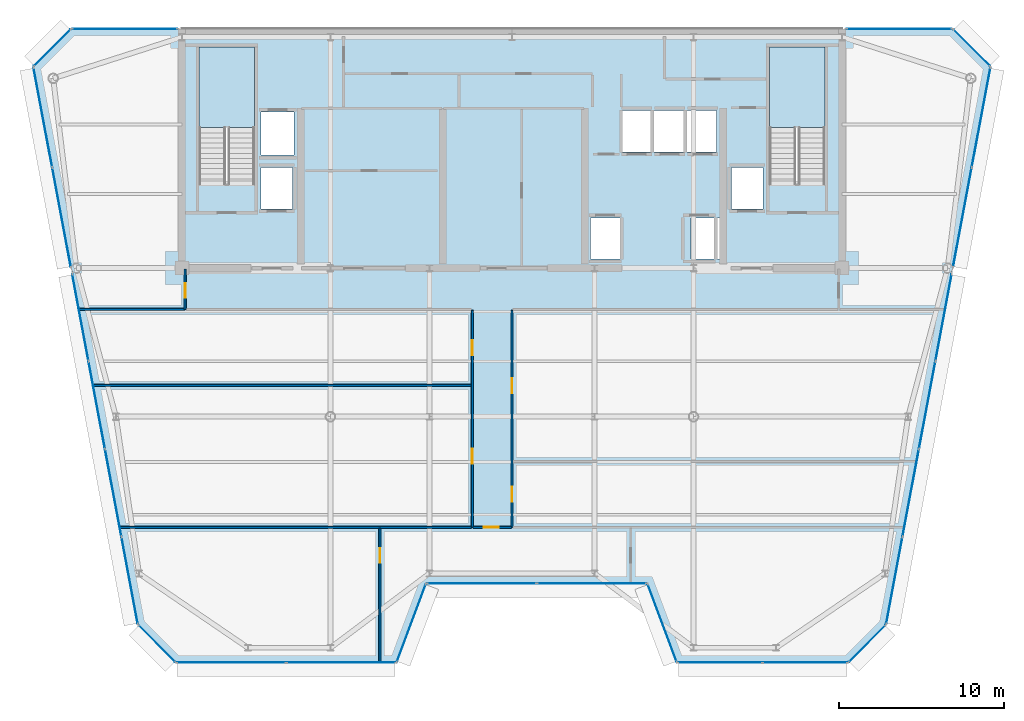
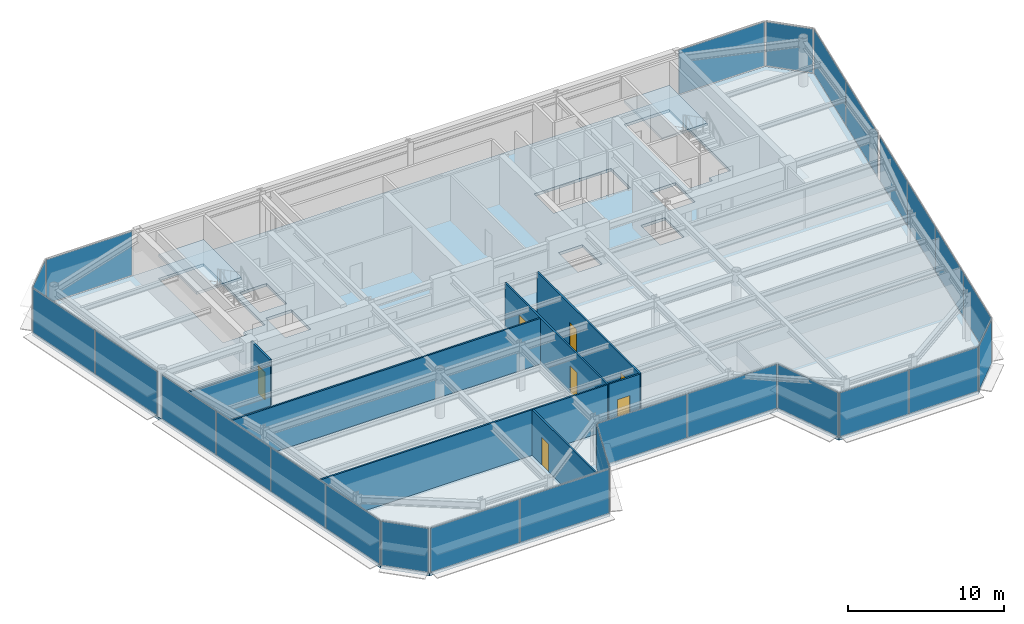
# One storey, part 10 of 19: 26 plates, 8 walls, 7 doors, 3 slabs, 7 openings, 17 elements without a shape of their own.
"""IFC4 building model written with IfcOpenShell, lengths in metres."""

from ifc_helpers import new_model, si_unit, direction, frame, frame_2d, origin, origin_2d, place, context, subcontext, project, spatial, polyline, rectangle, outline, extrude, source, transform, mapped, material, layer, layer_set, type_object, element, fill, aggregate, save


model = new_model("IFC4")

# Units and contexts
model_context = context("Model", 3, precision=1e-05, world=origin(), true_north=direction((0.0, 1.0)))
body_context = subcontext(model_context, "Body", "Model", "MODEL_VIEW")
ifc_project = project(units=[si_unit("LENGTHUNIT", "METRE"), si_unit("AREAUNIT", "SQUARE_METRE"), si_unit("VOLUMEUNIT", "CUBIC_METRE"), si_unit("PLANEANGLEUNIT", "RADIAN"), si_unit("MASSUNIT", "GRAM", prefix="KILO")], contexts=[model_context])

# Site, building, storey
site_placement = place(None, origin())
site = spatial("IfcSite", under=ifc_project, at=site_placement, CompositionType="ELEMENT")
building_placement = place(site_placement, origin())
building = spatial("IfcBuilding", under=site, at=building_placement, Name="Vaeldorn Concourse Tower", CompositionType="ELEMENT")
storey_placement = place(building_placement, frame((0.0, 0.0, 276.39990234375)))
storey = spatial("IfcBuildingStorey", under=building, at=storey_placement, Name="L71", CompositionType="ELEMENT", Elevation=276.39990234375)

# Stair, slab
ifc_material_1 = material(Name="Precast concrete C40/50", Category="concrete")
stair_type = type_object("IfcStairType", Name="STR-DOG-24x158", PredefinedType="HALF_TURN_STAIR", material=ifc_material_1)
stair_1_placement = place(storey_placement, origin())
stair_1 = element("IfcStair", 1, at=stair_1_placement, inside=storey, type_object=stair_type, Name="L71 West Core Exit Stair ST-1", PredefinedType="HALF_TURN_STAIR")
ifc_material_2 = material(Name="Concrete C40/50", Category="concrete")
ifc_layer_1 = layer(ifc_material_2, 0.199951171875)
ifc_layer_set_1 = layer_set([ifc_layer_1], Name="Concrete C40/50")
slab_type_1 = type_object("IfcSlabType", Name="SL-STAIR-LANDING", PredefinedType="LANDING", material=ifc_layer_set_1)
slab_1_placement = place(storey_placement, frame((0.0, 0.0, 1.7001953125)))
slab_1 = element("IfcSlab", 2, at=slab_1_placement, type_object=slab_type_1, Name="ST-1 landing 1", PredefinedType="LANDING", context=body_context, shape_type="SweptSolid", body=[
    extrude(outline(polyline([(18.39990234375, 45.010009765625), (18.39990234375, 49.89990234375), (15.050048828125, 49.89990234375), (15.050048828125, 45.010009765625), (18.39990234375, 45.010009765625)])), origin(), (0.0, 0.0, 1.0), 0.199951171875),
])
aggregate(stair_1, [slab_1])

stair_2_placement = place(storey_placement, origin())
stair_2 = element("IfcStair", 3, at=stair_2_placement, inside=storey, type_object=stair_type, Name="L71 East Core Exit Stair ST-2", PredefinedType="HALF_TURN_STAIR")
slab_2_placement = place(storey_placement, frame((0.0, 0.0, 1.7001953125)))
slab_2 = element("IfcSlab", 4, at=slab_2_placement, type_object=slab_type_1, Name="ST-2 landing 1", PredefinedType="LANDING", context=body_context, shape_type="SweptSolid", body=[
    extrude(outline(polyline([(52.949951171875, 45.010009765625), (52.949951171875, 49.89990234375), (49.60009765625, 49.89990234375), (49.60009765625, 45.010009765625), (52.949951171875, 45.010009765625)])), origin(), (0.0, 0.0, 1.0), 0.199951171875),
])
aggregate(stair_2, [slab_2])

# Slab
ifc_layer_2 = layer(ifc_material_2, 0.219970703125)
ifc_layer_set_2 = layer_set([ifc_layer_2], Name="Concrete C40/50")
slab_type_2 = type_object("IfcSlabType", Name="SL-TYP-220", PredefinedType="FLOOR", material=ifc_layer_set_2)
slab_3_placement = place(storey_placement, frame((0.0, 0.0, -0.219970703125)))
element("IfcSlab", 5, at=slab_3_placement, inside=storey, type_object=slab_type_2, Name="Structural Floor Slab L71", PredefinedType="FLOOR", context=body_context, shape_type="SweptSolid", body=[
    extrude(outline(polyline([(13.635986328125, 12.60009765625), (27.0, 12.60009765625), (28.800048828125, 17.39990234375), (42.199951171875, 17.39990234375), (44.0, 12.60009765625), (54.364013671875, 12.60009765625), (56.6640625, 14.89990234375), (63.0, 48.699951171875), (60.699951171875, 51.0), (7.300048828125, 51.0), (5.0, 48.699951171875), (11.3359375, 14.89990234375), (13.635986328125, 12.60009765625)]), holes=[polyline([(18.39990234375, 42.0), (18.39990234375, 49.89990234375), (15.050048828125, 49.89990234375), (15.050048828125, 41.60009765625), (16.800048828125, 41.60009765625), (16.800048828125, 42.0), (18.39990234375, 42.0)]), polyline([(52.949951171875, 42.0), (52.949951171875, 49.89990234375), (49.60009765625, 49.89990234375), (49.60009765625, 41.60009765625), (51.35009765625, 41.60009765625), (51.35009765625, 42.0), (52.949951171875, 42.0)]), polyline([(38.75, 37.050048828125), (40.550048828125, 37.050048828125), (40.550048828125, 39.550048828125), (38.75, 39.550048828125), (38.75, 37.050048828125)]), polyline([(44.85009765625, 37.050048828125), (46.64990234375, 37.050048828125), (46.64990234375, 39.550048828125), (44.85009765625, 39.550048828125), (44.85009765625, 37.050048828125)]), polyline([(40.699951171875, 43.550048828125), (46.39990234375, 43.550048828125), (46.39990234375, 46.050048828125), (40.699951171875, 46.050048828125), (40.699951171875, 43.550048828125)]), polyline([(18.800048828125, 43.35009765625), (20.800048828125, 43.35009765625), (20.800048828125, 45.949951171875), (18.800048828125, 45.949951171875), (18.800048828125, 43.35009765625)]), polyline([(18.800048828125, 40.10009765625), (20.699951171875, 40.10009765625), (20.699951171875, 42.60009765625), (18.800048828125, 42.60009765625), (18.800048828125, 40.10009765625)]), polyline([(47.300048828125, 40.10009765625), (49.199951171875, 40.10009765625), (49.199951171875, 42.60009765625), (47.300048828125, 42.60009765625), (47.300048828125, 40.10009765625)])]), origin(), (0.0, 0.0, 1.0), 0.219970703125),
])

# Curtain wall, plate
ifc_material_3 = material(Name="Anodised Bronze Aluminium", Category="aluminium")
ifc_layer_3 = layer(ifc_material_3, 0.179931640625)
ifc_layer_set_3 = layer_set([ifc_layer_3], Name="Anodised Bronze Aluminium")
curtain_wall_type = type_object("IfcCurtainWallType", Name="CW-SYS-05", PredefinedType="NOTDEFINED", material=ifc_layer_set_3)
curtain_wall_1_placement = place(storey_placement, origin())
curtain_wall_1 = element("IfcCurtainWall", 6, at=curtain_wall_1_placement, inside=storey, type_object=curtain_wall_type, Name="Unitised Curtain Wall CW-L71-E02-1", PredefinedType="NOTDEFINED")
ifc_material_4 = material(Name="Bronze Tinted Low-E Insulated Glass", Category="glass")
ifc_layer_4 = layer(ifc_material_4, 0.031982421875)
ifc_layer_set_4 = layer_set([ifc_layer_4], Name="Bronze Tinted Low-E Insulated Glass")
plate_type = type_object("IfcPlateType", Name="CWP-VISION-32", PredefinedType="CURTAIN_PANEL", material=ifc_layer_set_4)
shared_shape_1 = source(origin(), body_context, "Body", "SweptSolid", [
    extrude(rectangle(XDim=4.996337890625, YDim=0.031982421875, at=origin_2d()), origin(), (0.0, 0.0, 1.0), 3.449951171875),
])
plate_1_placement = place(storey_placement, frame((27.89990234375, 15.0, 0.06494140625), z_axis=(0.0, 0.0, 1.0), x_axis=(0.351123441595, 0.936329177566, 0.0)))
plate_1 = element("IfcPlate", 7, at=plate_1_placement, type_object=plate_type, Name="CW-05 panel 1.1", PredefinedType="CURTAIN_PANEL", context=body_context, shape_type="MappedRepresentation", body=[
    mapped(shared_shape_1, transform((0.0, 0.0, 0.0), scale=1.0)),
])
aggregate(curtain_wall_1, [plate_1])

curtain_wall_2_placement = place(storey_placement, origin())
curtain_wall_2 = element("IfcCurtainWall", 8, at=curtain_wall_2_placement, inside=storey, type_object=curtain_wall_type, Name="Unitised Curtain Wall CW-L71-E04-1", PredefinedType="NOTDEFINED")
plate_2_placement = place(storey_placement, frame((43.10009765625, 15.0, 0.06494140625), z_axis=(0.0, 0.0, 1.0), x_axis=(0.351123441595, -0.936329177566, 0.0)))
plate_2 = element("IfcPlate", 9, at=plate_2_placement, type_object=plate_type, Name="CW-05 panel 1.1", PredefinedType="CURTAIN_PANEL", context=body_context, shape_type="MappedRepresentation", body=[
    mapped(shared_shape_1, transform((0.0, 0.0, 0.0), scale=1.0)),
])
aggregate(curtain_wall_2, [plate_2])

# Curtain wall, plates
curtain_wall_3_placement = place(storey_placement, origin())
curtain_wall_3 = element("IfcCurtainWall", 10, at=curtain_wall_3_placement, inside=storey, type_object=curtain_wall_type, Name="Unitised Curtain Wall CW-L71-E03-1", PredefinedType="NOTDEFINED")
shared_shape_2 = source(origin(), body_context, "Body", "SweptSolid", [
    extrude(rectangle(XDim=6.6025390625, YDim=0.031982421875, at=origin_2d()), origin(), (0.0, 0.0, 1.0), 3.449951171875),
])
plate_3_placement = place(storey_placement, frame((32.166259765625, 17.39990234375, 0.06494140625), z_axis=(0.0, 0.0, 1.0), x_axis=(1.0, 0.0, 0.0)))
plate_3 = element("IfcPlate", 11, at=plate_3_placement, type_object=plate_type, Name="CW-05 panel 1.1", PredefinedType="CURTAIN_PANEL", context=body_context, shape_type="MappedRepresentation", body=[
    mapped(shared_shape_2, transform((0.0, 0.0, 0.0), scale=1.0)),
])
plate_4_placement = place(storey_placement, frame((38.833740234375, 17.39990234375, 0.06494140625), z_axis=(0.0, 0.0, 1.0), x_axis=(1.0, 0.0, 0.0)))
plate_4 = element("IfcPlate", 12, at=plate_4_placement, type_object=plate_type, Name="CW-05 panel 2.1", PredefinedType="CURTAIN_PANEL", context=body_context, shape_type="MappedRepresentation", body=[
    mapped(shared_shape_2, transform((0.0, 0.0, 0.0), scale=1.0)),
])
aggregate(curtain_wall_3, [plate_3, plate_4])

# Curtain wall, plate
curtain_wall_4_placement = place(storey_placement, origin())
curtain_wall_4 = element("IfcCurtainWall", 13, at=curtain_wall_4_placement, inside=storey, type_object=curtain_wall_type, Name="Unitised Curtain Wall CW-L71-E06-1", PredefinedType="NOTDEFINED")
shared_shape_3 = source(origin(), body_context, "Body", "SweptSolid", [
    extrude(rectangle(XDim=3.122802734375, YDim=0.031982421875, at=origin_2d()), origin(), (0.0, 0.0, 1.0), 3.449951171875),
])
plate_5_placement = place(storey_placement, frame((55.513916015625, 13.75, 0.06494140625), z_axis=(0.0, 0.0, 1.0), x_axis=(0.707106781187, 0.707106781187, 0.0)))
plate_5 = element("IfcPlate", 14, at=plate_5_placement, type_object=plate_type, Name="CW-05 panel 1.1", PredefinedType="CURTAIN_PANEL", context=body_context, shape_type="MappedRepresentation", body=[
    mapped(shared_shape_3, transform((0.0, 0.0, 0.0), scale=1.0)),
])
aggregate(curtain_wall_4, [plate_5])

curtain_wall_5_placement = place(storey_placement, origin())
curtain_wall_5 = element("IfcCurtainWall", 15, at=curtain_wall_5_placement, inside=storey, type_object=curtain_wall_type, Name="Unitised Curtain Wall CW-L71-E08-1", PredefinedType="NOTDEFINED")
plate_6_placement = place(storey_placement, frame((61.85009765625, 49.85009765625, 0.06494140625), z_axis=(0.0, 0.0, 1.0), x_axis=(-0.707106781187, 0.707106781187, 0.0)))
plate_6 = element("IfcPlate", 16, at=plate_6_placement, type_object=plate_type, Name="CW-05 panel 1.1", PredefinedType="CURTAIN_PANEL", context=body_context, shape_type="MappedRepresentation", body=[
    mapped(shared_shape_3, transform((0.0, 0.0, 0.0), scale=1.0)),
])
aggregate(curtain_wall_5, [plate_6])

curtain_wall_6_placement = place(storey_placement, origin())
curtain_wall_6 = element("IfcCurtainWall", 17, at=curtain_wall_6_placement, inside=storey, type_object=curtain_wall_type, Name="Unitised Curtain Wall CW-L71-E10-1", PredefinedType="NOTDEFINED")
plate_7_placement = place(storey_placement, frame((6.14990234375, 49.85009765625, 0.06494140625), z_axis=(0.0, 0.0, 1.0), x_axis=(-0.707106781187, -0.707106781187, 0.0)))
plate_7 = element("IfcPlate", 18, at=plate_7_placement, type_object=plate_type, Name="CW-05 panel 1.1", PredefinedType="CURTAIN_PANEL", context=body_context, shape_type="MappedRepresentation", body=[
    mapped(shared_shape_3, transform((0.0, 0.0, 0.0), scale=1.0)),
])
aggregate(curtain_wall_6, [plate_7])

curtain_wall_7_placement = place(storey_placement, origin())
curtain_wall_7 = element("IfcCurtainWall", 19, at=curtain_wall_7_placement, inside=storey, type_object=curtain_wall_type, Name="Unitised Curtain Wall CW-L71-E12-1", PredefinedType="NOTDEFINED")
plate_8_placement = place(storey_placement, frame((12.486083984375, 13.75, 0.06494140625), z_axis=(0.0, 0.0, 1.0), x_axis=(0.707106781187, -0.707106781187, 0.0)))
plate_8 = element("IfcPlate", 20, at=plate_8_placement, type_object=plate_type, Name="CW-05 panel 1.1", PredefinedType="CURTAIN_PANEL", context=body_context, shape_type="MappedRepresentation", body=[
    mapped(shared_shape_3, transform((0.0, 0.0, 0.0), scale=1.0)),
])
aggregate(curtain_wall_7, [plate_8])

curtain_wall_8_placement = place(storey_placement, origin())
curtain_wall_8 = element("IfcCurtainWall", 21, at=curtain_wall_8_placement, inside=storey, type_object=curtain_wall_type, Name="Unitised Curtain Wall CW-L71-E09-1", PredefinedType="NOTDEFINED")
shared_shape_4 = source(origin(), body_context, "Body", "SweptSolid", [
    extrude(rectangle(XDim=6.35009765625, YDim=0.031982421875, at=origin_2d()), origin(), (0.0, 0.0, 1.0), 3.449951171875),
])
plate_9_placement = place(storey_placement, frame((57.4599609375, 51.0, 0.06494140625), z_axis=(0.0, 0.0, 1.0), x_axis=(-1.0, 0.0, 0.0)))
plate_9 = element("IfcPlate", 22, at=plate_9_placement, type_object=plate_type, Name="CW-05 panel 1.1", PredefinedType="CURTAIN_PANEL", context=body_context, shape_type="MappedRepresentation", body=[
    mapped(shared_shape_4, transform((0.0, 0.0, 0.0), scale=1.0)),
])
aggregate(curtain_wall_8, [plate_9])

curtain_wall_9_placement = place(storey_placement, origin())
curtain_wall_9 = element("IfcCurtainWall", 23, at=curtain_wall_9_placement, inside=storey, type_object=curtain_wall_type, Name="Unitised Curtain Wall CW-L71-E09-2", PredefinedType="NOTDEFINED")
plate_10_placement = place(storey_placement, frame((10.5400390625, 51.0, 0.06494140625), z_axis=(0.0, 0.0, 1.0), x_axis=(-1.0, 0.0, 0.0)))
plate_10 = element("IfcPlate", 24, at=plate_10_placement, type_object=plate_type, Name="CW-05 panel 1.1", PredefinedType="CURTAIN_PANEL", context=body_context, shape_type="MappedRepresentation", body=[
    mapped(shared_shape_4, transform((0.0, 0.0, 0.0), scale=1.0)),
])
aggregate(curtain_wall_9, [plate_10])

# Curtain wall, plates
curtain_wall_10_placement = place(storey_placement, origin())
curtain_wall_10 = element("IfcCurtainWall", 25, at=curtain_wall_10_placement, inside=storey, type_object=curtain_wall_type, Name="Unitised Curtain Wall CW-L71-E07-1", PredefinedType="NOTDEFINED")
shared_shape_5 = source(origin(), body_context, "Body", "SweptSolid", [
    extrude(rectangle(XDim=5.31640625, YDim=0.031982421875, at=origin_2d()), origin(), (0.0, 0.0, 1.0), 3.449951171875),
])
plate_11_placement = place(storey_placement, frame((57.165771484375, 17.57666015625, 0.06494140625), z_axis=(0.0, 0.0, 1.0), x_axis=(0.184246714088, 0.982880027444, 0.0)))
plate_11 = element("IfcPlate", 26, at=plate_11_placement, type_object=plate_type, Name="CW-05 panel 1.1", PredefinedType="CURTAIN_PANEL", context=body_context, shape_type="MappedRepresentation", body=[
    mapped(shared_shape_5, transform((0.0, 0.0, 0.0), scale=1.0)),
])
plate_12_placement = place(storey_placement, frame((60.15234375, 33.50830078125, 0.06494140625), z_axis=(0.0, 0.0, 1.0), x_axis=(0.184246714088, 0.982880027444, 0.0)))
plate_12 = element("IfcPlate", 27, at=plate_12_placement, type_object=plate_type, Name="CW-05 panel 4.1", PredefinedType="CURTAIN_PANEL", context=body_context, shape_type="MappedRepresentation", body=[
    mapped(shared_shape_5, transform((0.0, 0.0, 0.0), scale=1.0)),
])

curtain_wall_11_placement = place(storey_placement, origin())
curtain_wall_11 = element("IfcCurtainWall", 28, at=curtain_wall_11_placement, inside=storey, type_object=curtain_wall_type, Name="Unitised Curtain Wall CW-L71-E11-2", PredefinedType="NOTDEFINED")
plate_13_placement = place(storey_placement, frame((7.84765625, 33.50830078125, 0.06494140625), z_axis=(0.0, 0.0, 1.0), x_axis=(0.184246714088, -0.982880027444, 0.0)))
plate_13 = element("IfcPlate", 29, at=plate_13_placement, type_object=plate_type, Name="CW-05 panel 1.1", PredefinedType="CURTAIN_PANEL", context=body_context, shape_type="MappedRepresentation", body=[
    mapped(shared_shape_5, transform((0.0, 0.0, 0.0), scale=1.0)),
])
plate_14_placement = place(storey_placement, frame((10.834228515625, 17.57666015625, 0.06494140625), z_axis=(0.0, 0.0, 1.0), x_axis=(0.184246714088, -0.982880027444, 0.0)))
plate_14 = element("IfcPlate", 30, at=plate_14_placement, type_object=plate_type, Name="CW-05 panel 4.1", PredefinedType="CURTAIN_PANEL", context=body_context, shape_type="MappedRepresentation", body=[
    mapped(shared_shape_5, transform((0.0, 0.0, 0.0), scale=1.0)),
])

# Plate
shared_shape_6 = source(origin(), body_context, "Body", "SweptSolid", [
    extrude(rectangle(XDim=5.348876953125, YDim=0.031982421875, at=origin_2d()), origin(), (0.0, 0.0, 1.0), 3.449951171875),
])
plate_15_placement = place(storey_placement, frame((58.16015625, 22.8818359375, 0.06494140625), z_axis=(0.0, 0.0, 1.0), x_axis=(0.184246714088, 0.982880027444, 0.0)))
plate_15 = element("IfcPlate", 31, at=plate_15_placement, type_object=plate_type, Name="CW-05 panel 2.1", PredefinedType="CURTAIN_PANEL", context=body_context, shape_type="MappedRepresentation", body=[
    mapped(shared_shape_6, transform((0.0, 0.0, 0.0), scale=1.0)),
])

plate_16_placement = place(storey_placement, frame((59.15771484375, 28.203125, 0.06494140625), z_axis=(0.0, 0.0, 1.0), x_axis=(0.184246714088, 0.982880027444, 0.0)))
plate_16 = element("IfcPlate", 32, at=plate_16_placement, type_object=plate_type, Name="CW-05 panel 3.1", PredefinedType="CURTAIN_PANEL", context=body_context, shape_type="MappedRepresentation", body=[
    mapped(shared_shape_6, transform((0.0, 0.0, 0.0), scale=1.0)),
])

aggregate(curtain_wall_10, [plate_11, plate_15, plate_16, plate_12])

plate_17_placement = place(storey_placement, frame((8.84228515625, 28.203125, 0.06494140625), z_axis=(0.0, 0.0, 1.0), x_axis=(0.184246714088, -0.982880027444, 0.0)))
plate_17 = element("IfcPlate", 33, at=plate_17_placement, type_object=plate_type, Name="CW-05 panel 2.1", PredefinedType="CURTAIN_PANEL", context=body_context, shape_type="MappedRepresentation", body=[
    mapped(shared_shape_6, transform((0.0, 0.0, 0.0), scale=1.0)),
])

plate_18_placement = place(storey_placement, frame((9.83984375, 22.8818359375, 0.06494140625), z_axis=(0.0, 0.0, 1.0), x_axis=(0.184246714088, -0.982880027444, 0.0)))
plate_18 = element("IfcPlate", 34, at=plate_18_placement, type_object=plate_type, Name="CW-05 panel 3.1", PredefinedType="CURTAIN_PANEL", context=body_context, shape_type="MappedRepresentation", body=[
    mapped(shared_shape_6, transform((0.0, 0.0, 0.0), scale=1.0)),
])

aggregate(curtain_wall_11, [plate_13, plate_17, plate_18, plate_14])

# Curtain wall, plates
curtain_wall_12_placement = place(storey_placement, origin())
curtain_wall_12 = element("IfcCurtainWall", 35, at=curtain_wall_12_placement, inside=storey, type_object=curtain_wall_type, Name="Unitised Curtain Wall CW-L71-E07-2", PredefinedType="NOTDEFINED")
shared_shape_7 = source(origin(), body_context, "Body", "SweptSolid", [
    extrude(rectangle(XDim=6.103515625, YDim=0.031982421875, at=origin_2d()), origin(), (0.0, 0.0, 1.0), 3.449951171875),
])
plate_19_placement = place(storey_placement, frame((61.289306640625, 39.57373046875, 0.06494140625), z_axis=(0.0, 0.0, 1.0), x_axis=(0.184245693053, 0.982880218842, 0.0)))
plate_19 = element("IfcPlate", 36, at=plate_19_placement, type_object=plate_type, Name="CW-05 panel 1.1", PredefinedType="CURTAIN_PANEL", context=body_context, shape_type="MappedRepresentation", body=[
    mapped(shared_shape_7, transform((0.0, 0.0, 0.0), scale=1.0)),
])
plate_20_placement = place(storey_placement, frame((62.42578125, 45.63671875, 0.06494140625), z_axis=(0.0, 0.0, 1.0), x_axis=(0.184245693053, 0.982880218842, 0.0)))
plate_20 = element("IfcPlate", 37, at=plate_20_placement, type_object=plate_type, Name="CW-05 panel 2.1", PredefinedType="CURTAIN_PANEL", context=body_context, shape_type="MappedRepresentation", body=[
    mapped(shared_shape_7, transform((0.0, 0.0, 0.0), scale=1.0)),
])
aggregate(curtain_wall_12, [plate_19, plate_20])

curtain_wall_13_placement = place(storey_placement, origin())
curtain_wall_13 = element("IfcCurtainWall", 38, at=curtain_wall_13_placement, inside=storey, type_object=curtain_wall_type, Name="Unitised Curtain Wall CW-L71-E11-1", PredefinedType="NOTDEFINED")
plate_21_placement = place(storey_placement, frame((5.57421875, 45.63671875, 0.06494140625), z_axis=(0.0, 0.0, 1.0), x_axis=(0.184245693053, -0.982880218842, 0.0)))
plate_21 = element("IfcPlate", 39, at=plate_21_placement, type_object=plate_type, Name="CW-05 panel 1.1", PredefinedType="CURTAIN_PANEL", context=body_context, shape_type="MappedRepresentation", body=[
    mapped(shared_shape_7, transform((0.0, 0.0, 0.0), scale=1.0)),
])
plate_22_placement = place(storey_placement, frame((6.710693359375, 39.57373046875, 0.06494140625), z_axis=(0.0, 0.0, 1.0), x_axis=(0.184245693053, -0.982880218842, 0.0)))
plate_22 = element("IfcPlate", 40, at=plate_22_placement, type_object=plate_type, Name="CW-05 panel 2.1", PredefinedType="CURTAIN_PANEL", context=body_context, shape_type="MappedRepresentation", body=[
    mapped(shared_shape_7, transform((0.0, 0.0, 0.0), scale=1.0)),
])
aggregate(curtain_wall_13, [plate_21, plate_22])

curtain_wall_14_placement = place(storey_placement, origin())
curtain_wall_14 = element("IfcCurtainWall", 41, at=curtain_wall_14_placement, inside=storey, type_object=curtain_wall_type, Name="Unitised Curtain Wall CW-L71-E01-1", PredefinedType="NOTDEFINED")
shared_shape_8 = source(origin(), body_context, "Body", "SweptSolid", [
    extrude(rectangle(XDim=6.58447265625, YDim=0.031982421875, at=origin_2d()), origin(), (0.0, 0.0, 1.0), 3.449951171875),
])
plate_23_placement = place(storey_placement, frame((16.9931640625, 12.60009765625, 0.06494140625), z_axis=(0.0, 0.0, 1.0), x_axis=(1.0, 0.0, 0.0)))
plate_23 = element("IfcPlate", 42, at=plate_23_placement, type_object=plate_type, Name="CW-05 panel 1.1", PredefinedType="CURTAIN_PANEL", context=body_context, shape_type="MappedRepresentation", body=[
    mapped(shared_shape_8, transform((0.0, 0.0, 0.0), scale=1.0)),
])
plate_24_placement = place(storey_placement, frame((23.642822265625, 12.60009765625, 0.06494140625), z_axis=(0.0, 0.0, 1.0), x_axis=(1.0, 0.0, 0.0)))
plate_24 = element("IfcPlate", 43, at=plate_24_placement, type_object=plate_type, Name="CW-05 panel 2.1", PredefinedType="CURTAIN_PANEL", context=body_context, shape_type="MappedRepresentation", body=[
    mapped(shared_shape_8, transform((0.0, 0.0, 0.0), scale=1.0)),
])
aggregate(curtain_wall_14, [plate_23, plate_24])

curtain_wall_15_placement = place(storey_placement, origin())
curtain_wall_15 = element("IfcCurtainWall", 44, at=curtain_wall_15_placement, inside=storey, type_object=curtain_wall_type, Name="Unitised Curtain Wall CW-L71-E05-1", PredefinedType="NOTDEFINED")
shared_shape_9 = source(origin(), body_context, "Body", "SweptSolid", [
    extrude(rectangle(XDim=5.08447265625, YDim=0.031982421875, at=origin_2d()), origin(), (0.0, 0.0, 1.0), 3.449951171875),
])
plate_25_placement = place(storey_placement, frame((46.607177734375, 12.60009765625, 0.06494140625), z_axis=(0.0, 0.0, 1.0), x_axis=(1.0, 0.0, 0.0)))
plate_25 = element("IfcPlate", 45, at=plate_25_placement, type_object=plate_type, Name="CW-05 panel 1.1", PredefinedType="CURTAIN_PANEL", context=body_context, shape_type="MappedRepresentation", body=[
    mapped(shared_shape_9, transform((0.0, 0.0, 0.0), scale=1.0)),
])
plate_26_placement = place(storey_placement, frame((51.7568359375, 12.60009765625, 0.06494140625), z_axis=(0.0, 0.0, 1.0), x_axis=(1.0, 0.0, 0.0)))
plate_26 = element("IfcPlate", 46, at=plate_26_placement, type_object=plate_type, Name="CW-05 panel 2.1", PredefinedType="CURTAIN_PANEL", context=body_context, shape_type="MappedRepresentation", body=[
    mapped(shared_shape_9, transform((0.0, 0.0, 0.0), scale=1.0)),
])
aggregate(curtain_wall_15, [plate_25, plate_26])

# Wall, opening, door
ifc_material_5 = material(Name="Gypsum Board Partition", Category="gypsum")
ifc_layer_5 = layer(ifc_material_5, 0.1201171875)
ifc_layer_set_5 = layer_set([ifc_layer_5], Name="Gypsum Board Partition")
wall_type = type_object("IfcWallType", Name="WL-PART-120", PredefinedType="PARTITIONING", material=ifc_layer_set_5)
wall_1_placement = place(storey_placement, frame((14.199951171875, 34.0, 0.0), z_axis=(0.0, 0.0, 1.0), x_axis=(0.0, 1.0, 0.0)))
wall_1 = element("IfcWall", 47, at=wall_1_placement, inside=storey, type_object=wall_type, Name="Interior Wall PW-L71-C3W", PredefinedType="PARTITIONING", context=body_context, shape_type="SweptSolid", body=[
    extrude(rectangle(XDim=2.43994140625, YDim=0.1201171875, at=frame_2d((1.219970703125, 0.0))), origin(), (0.0, 0.0, 1.0), 3.580078125),
])
opening_1_placement = place(wall_1_placement, frame((0.699951171875, 0.0, 0.0)))
opening_1 = element("IfcOpeningElement", 48, at=opening_1_placement, cuts=wall_1, Name="Opening D-03", PredefinedType="OPENING", context=body_context, shape_type="SweptSolid", body=[
    extrude(rectangle(XDim=0.89990234375, YDim=2.14990234375, at=frame_2d((0.449951171875, 1.074951171875))), frame((0.0, 0.070068359375, 0.0), z_axis=(0.0, -1.0, 0.0), x_axis=(1.0, 0.0, 0.0)), (0.0, 0.0, 1.0), 0.14013671875),
])
ifc_material_6 = material(Name="Acoustic Bronze-Framed Glass Door", Category="glass")
door_type = type_object("IfcDoorType", Name="DR-INT-900", OperationType="NOTDEFINED", PredefinedType="DOOR", material=ifc_material_6)
shared_shape_10 = source(origin(), body_context, "Body", "SweptSolid", [
    extrude(rectangle(XDim=0.89990234375, YDim=2.14990234375, at=frame_2d((0.449951171875, 1.074951171875))), frame((0.0, 0.02490234375, 0.0), z_axis=(0.0, -1.0, 0.0), x_axis=(1.0, 0.0, 0.0)), (0.0, 0.0, 1.0), 0.050048828125),
])
door_1_placement = place(opening_1_placement, origin())
door_1 = element("IfcDoor", 49, at=door_1_placement, inside=storey, type_object=door_type, Name="Interior Door DR-L71-Z3NW", OperationType="SINGLE_SWING_LEFT", OverallHeight=2.14990234375, OverallWidth=0.89990234375, PredefinedType="DOOR", context=body_context, shape_type="MappedRepresentation", body=[
    mapped(shared_shape_10, transform((0.0, 0.0, 0.0), scale=1.0)),
])
fill(opening_1, door_1)

# Wall, openings, doors
wall_2_placement = place(storey_placement, frame((31.60009765625, 20.800048828125, 0.0), z_axis=(0.0, 0.0, 1.0), x_axis=(0.0, 1.0, 0.0)))
wall_2 = element("IfcWall", 50, at=wall_2_placement, inside=storey, type_object=wall_type, Name="Interior Wall PW-L71-CSPW", PredefinedType="PARTITIONING", context=body_context, shape_type="SweptSolid", body=[
    extrude(rectangle(XDim=13.139892578125, YDim=0.1201171875, at=frame_2d((6.56982421875, 0.0))), origin(), (0.0, 0.0, 1.0), 3.580078125),
])
opening_2_placement = place(wall_2_placement, frame((3.85009765625, 0.0, 0.0)))
opening_2 = element("IfcOpeningElement", 51, at=opening_2_placement, cuts=wall_2, Name="Opening D-03", PredefinedType="OPENING", context=body_context, shape_type="SweptSolid", body=[
    extrude(rectangle(XDim=0.89990234375, YDim=2.14990234375, at=frame_2d((0.449951171875, 1.074951171875))), frame((0.0, 0.070068359375, 0.0), z_axis=(0.0, -1.0, 0.0), x_axis=(1.0, 0.0, 0.0)), (0.0, 0.0, 1.0), 0.14013671875),
])
opening_3_placement = place(wall_2_placement, frame((10.419921875, 0.0, 0.0)))
opening_3 = element("IfcOpeningElement", 52, at=opening_3_placement, cuts=wall_2, Name="Opening D-03", PredefinedType="OPENING", context=body_context, shape_type="SweptSolid", body=[
    extrude(rectangle(XDim=0.89990234375, YDim=2.14990234375, at=frame_2d((0.449951171875, 1.074951171875))), frame((0.0, 0.070068359375, 0.0), z_axis=(0.0, -1.0, 0.0), x_axis=(1.0, 0.0, 0.0)), (0.0, 0.0, 1.0), 0.14013671875),
])
door_2_placement = place(opening_2_placement, origin())
door_2 = element("IfcDoor", 53, at=door_2_placement, inside=storey, type_object=door_type, Name="Interior Door DR-L71-Z3W1", OperationType="SINGLE_SWING_LEFT", OverallHeight=2.14990234375, OverallWidth=0.89990234375, PredefinedType="DOOR", context=body_context, shape_type="MappedRepresentation", body=[
    mapped(shared_shape_10, transform((0.0, 0.0, 0.0), scale=1.0)),
])
fill(opening_2, door_2)
door_3_placement = place(opening_3_placement, origin())
door_3 = element("IfcDoor", 54, at=door_3_placement, inside=storey, type_object=door_type, Name="Interior Door DR-L71-Z3W2", OperationType="SINGLE_SWING_RIGHT", OverallHeight=2.14990234375, OverallWidth=0.89990234375, PredefinedType="DOOR", context=body_context, shape_type="MappedRepresentation", body=[
    mapped(shared_shape_10, transform((0.0, 0.0, 0.0), scale=1.0)),
])
fill(opening_3, door_3)

wall_3_placement = place(storey_placement, frame((34.0, 20.800048828125, 0.0), z_axis=(0.0, 0.0, 1.0), x_axis=(0.0, 1.0, 0.0)))
wall_3 = element("IfcWall", 55, at=wall_3_placement, inside=storey, type_object=wall_type, Name="Interior Wall PW-L71-CSPE", PredefinedType="PARTITIONING", context=body_context, shape_type="SweptSolid", body=[
    extrude(rectangle(XDim=13.139892578125, YDim=0.1201171875, at=frame_2d((6.56982421875, 0.0))), origin(), (0.0, 0.0, 1.0), 3.580078125),
])
opening_4_placement = place(wall_3_placement, frame((1.550048828125, 0.0, 0.0)))
opening_4 = element("IfcOpeningElement", 56, at=opening_4_placement, cuts=wall_3, Name="Opening D-03", PredefinedType="OPENING", context=body_context, shape_type="SweptSolid", body=[
    extrude(rectangle(XDim=0.89990234375, YDim=2.14990234375, at=frame_2d((0.449951171875, 1.074951171875))), frame((0.0, 0.070068359375, 0.0), z_axis=(0.0, -1.0, 0.0), x_axis=(1.0, 0.0, 0.0)), (0.0, 0.0, 1.0), 0.14013671875),
])
opening_5_placement = place(wall_3_placement, frame((8.1201171875, 0.0, 0.0)))
opening_5 = element("IfcOpeningElement", 57, at=opening_5_placement, cuts=wall_3, Name="Opening D-03", PredefinedType="OPENING", context=body_context, shape_type="SweptSolid", body=[
    extrude(rectangle(XDim=0.89990234375, YDim=2.14990234375, at=frame_2d((0.449951171875, 1.074951171875))), frame((0.0, 0.070068359375, 0.0), z_axis=(0.0, -1.0, 0.0), x_axis=(1.0, 0.0, 0.0)), (0.0, 0.0, 1.0), 0.14013671875),
])
door_4_placement = place(opening_4_placement, origin())
door_4 = element("IfcDoor", 58, at=door_4_placement, inside=storey, type_object=door_type, Name="Interior Door DR-L71-Z3E1", OperationType="SINGLE_SWING_RIGHT", OverallHeight=2.14990234375, OverallWidth=0.89990234375, PredefinedType="DOOR", context=body_context, shape_type="MappedRepresentation", body=[
    mapped(shared_shape_10, transform((0.0, 0.0, 0.0), scale=1.0)),
])
fill(opening_4, door_4)
door_5_placement = place(opening_5_placement, origin())
door_5 = element("IfcDoor", 59, at=door_5_placement, inside=storey, type_object=door_type, Name="Interior Door DR-L71-Z3E2", OperationType="SINGLE_SWING_LEFT", OverallHeight=2.14990234375, OverallWidth=0.89990234375, PredefinedType="DOOR", context=body_context, shape_type="MappedRepresentation", body=[
    mapped(shared_shape_10, transform((0.0, 0.0, 0.0), scale=1.0)),
])
fill(opening_5, door_5)

# Wall, opening, door
wall_4_placement = place(storey_placement, frame((31.639892578125, 20.800048828125, 0.0), z_axis=(0.0, 0.0, 1.0), x_axis=(1.0, 0.0, 0.0)))
wall_4 = element("IfcWall", 60, at=wall_4_placement, inside=storey, type_object=wall_type, Name="Interior Wall PW-L71-CSPS", PredefinedType="PARTITIONING", context=body_context, shape_type="SweptSolid", body=[
    extrude(rectangle(XDim=2.320068359375, YDim=0.1201171875, at=frame_2d((1.16015625, 0.0))), origin(), (0.0, 0.0, 1.0), 3.580078125),
])
opening_6_placement = place(wall_4_placement, frame((0.64990234375, 0.0, 0.0)))
opening_6 = element("IfcOpeningElement", 61, at=opening_6_placement, cuts=wall_4, Name="Opening D-03", PredefinedType="OPENING", context=body_context, shape_type="SweptSolid", body=[
    extrude(rectangle(XDim=0.89990234375, YDim=2.14990234375, at=frame_2d((0.449951171875, 1.074951171875))), frame((0.0, 0.070068359375, 0.0), z_axis=(0.0, -1.0, 0.0), x_axis=(1.0, 0.0, 0.0)), (0.0, 0.0, 1.0), 0.14013671875),
])
door_6_placement = place(opening_6_placement, origin())
door_6 = element("IfcDoor", 62, at=door_6_placement, inside=storey, type_object=door_type, Name="Interior Door DR-L71-Z3SM", OperationType="SINGLE_SWING_LEFT", OverallHeight=2.14990234375, OverallWidth=0.89990234375, PredefinedType="DOOR", context=body_context, shape_type="MappedRepresentation", body=[
    mapped(shared_shape_10, transform((0.0, 0.0, 0.0), scale=1.0)),
])
fill(opening_6, door_6)

# Walls
wall_5_placement = place(storey_placement, frame((7.795654296875, 34.0, 0.0), z_axis=(0.0, 0.0, 1.0), x_axis=(1.0, 0.0, 0.0)))
element("IfcWall", 63, at=wall_5_placement, inside=storey, type_object=wall_type, Name="Interior Wall PW-L71-Z3NWB", PredefinedType="PARTITIONING", context=body_context, shape_type="SweptSolid", body=[
    extrude(rectangle(XDim=6.34423828125, YDim=0.1201171875, at=frame_2d((3.172119140625, 0.0))), origin(), (0.0, 0.0, 1.0), 3.210205078125),
])
wall_6_placement = place(storey_placement, frame((8.657958984375, 29.39990234375, 0.0), z_axis=(0.0, 0.0, 1.0), x_axis=(1.0, 0.0, 0.0)))
element("IfcWall", 64, at=wall_6_placement, inside=storey, type_object=wall_type, Name="Interior Wall PW-L71-Z3WY1", PredefinedType="PARTITIONING", context=body_context, shape_type="SweptSolid", body=[
    extrude(rectangle(XDim=22.882080078125, YDim=0.1201171875, at=frame_2d((11.44091796875, 0.0))), origin(), (0.0, 0.0, 1.0), 3.580078125),
])
wall_7_placement = place(storey_placement, frame((10.27001953125, 20.800048828125, 0.0), z_axis=(0.0, 0.0, 1.0), x_axis=(1.0, 0.0, 0.0)))
element("IfcWall", 65, at=wall_7_placement, inside=storey, type_object=wall_type, Name="Interior Wall PW-L71-Z3SWL", PredefinedType="PARTITIONING", context=body_context, shape_type="SweptSolid", body=[
    extrude(rectangle(XDim=21.27001953125, YDim=0.1201171875, at=frame_2d((10.635009765625, 0.0))), origin(), (0.0, 0.0, 1.0), 3.580078125),
])

# Wall, opening, door
wall_8_placement = place(storey_placement, frame((26.0, 12.639892578125, 0.0), z_axis=(0.0, 0.0, 1.0), x_axis=(0.0, 1.0, 0.0)))
wall_8 = element("IfcWall", 66, at=wall_8_placement, inside=storey, type_object=wall_type, Name="Interior Wall PW-L71-Z3SX1", PredefinedType="PARTITIONING", context=body_context, shape_type="SweptSolid", body=[
    extrude(rectangle(XDim=8.10009765625, YDim=0.1201171875, at=frame_2d((4.050048828125, 0.0))), origin(), (0.0, 0.0, 1.0), 3.580078125),
])
opening_7_placement = place(wall_8_placement, frame((6.0, 0.0, 0.0)))
opening_7 = element("IfcOpeningElement", 67, at=opening_7_placement, cuts=wall_8, Name="Opening D-03", PredefinedType="OPENING", context=body_context, shape_type="SweptSolid", body=[
    extrude(rectangle(XDim=0.89990234375, YDim=2.14990234375, at=frame_2d((0.449951171875, 1.074951171875))), frame((0.0, 0.070068359375, 0.0), z_axis=(0.0, -1.0, 0.0), x_axis=(1.0, 0.0, 0.0)), (0.0, 0.0, 1.0), 0.14013671875),
])
door_7_placement = place(opening_7_placement, origin())
door_7 = element("IfcDoor", 68, at=door_7_placement, inside=storey, type_object=door_type, Name="Interior Door DR-L71-Z3SX1", OperationType="SINGLE_SWING_RIGHT", OverallHeight=2.14990234375, OverallWidth=0.89990234375, PredefinedType="DOOR", context=body_context, shape_type="MappedRepresentation", body=[
    mapped(shared_shape_10, transform((0.0, 0.0, 0.0), scale=1.0)),
])
fill(opening_7, door_7)

save(model, "model.ifc")
